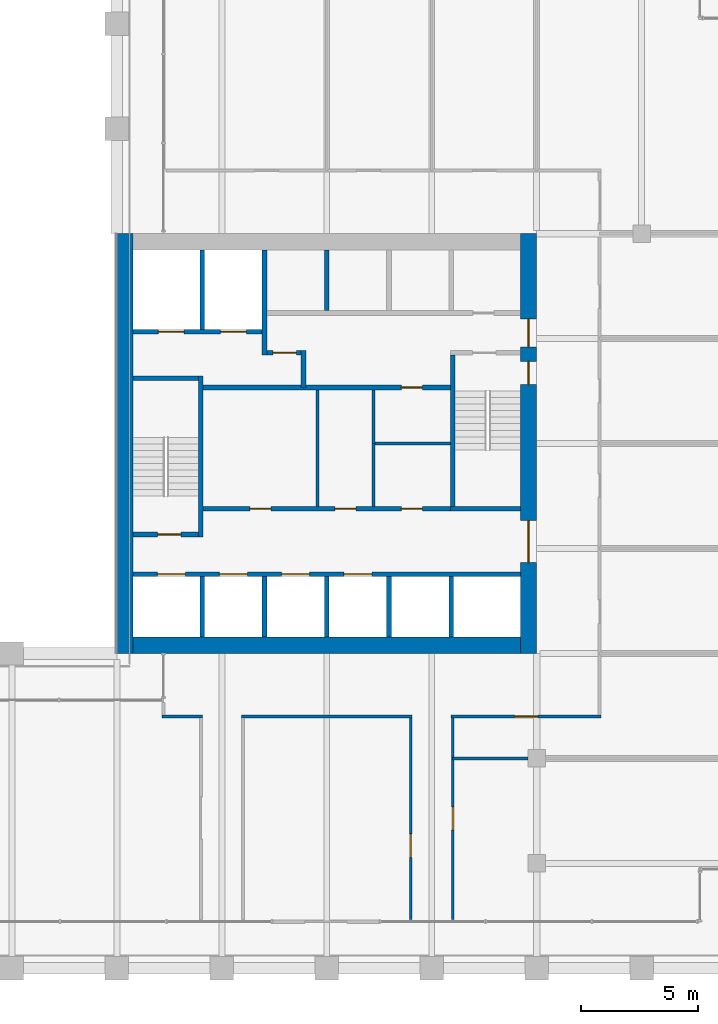
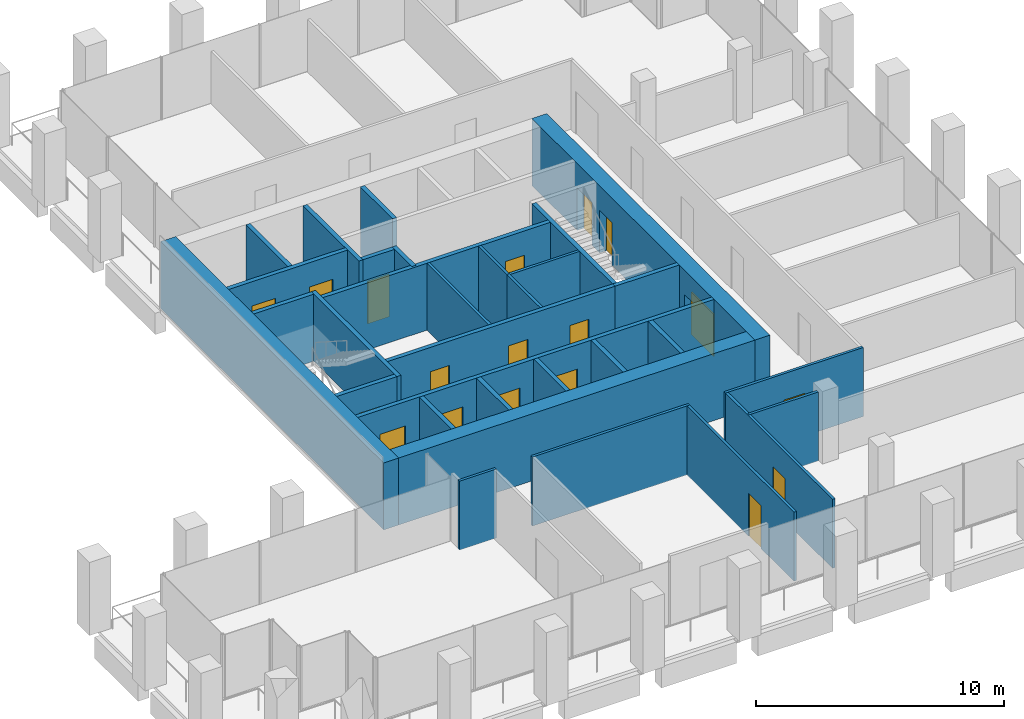
# One storey, part 41 of 46: 32 walls, 18 doors, 18 openings.
"""IFC4 building model written with IfcOpenShell, lengths in metres."""

from ifc_helpers import new_model, si_unit, direction, frame, frame_2d, origin, place, context, subcontext, project, spatial, rectangle, extrude, material, layer, layer_set, type_object, element, fill, save


model = new_model("IFC4")

# Units and contexts
model_context = context("Model", 3, precision=1e-05, world=origin(), true_north=direction((0.0, 1.0)))
body_context = subcontext(model_context, "Body", "Model", "MODEL_VIEW")
ifc_project = project(units=[si_unit("LENGTHUNIT", "METRE"), si_unit("AREAUNIT", "SQUARE_METRE"), si_unit("VOLUMEUNIT", "CUBIC_METRE"), si_unit("PLANEANGLEUNIT", "RADIAN"), si_unit("MASSUNIT", "GRAM", prefix="KILO")], contexts=[model_context])

# Site, building, storey
site_placement = place(None, origin())
site = spatial("IfcSite", under=ifc_project, at=site_placement, CompositionType="ELEMENT")
building_placement = place(site_placement, origin())
building = spatial("IfcBuilding", under=site, at=building_placement, Name="Altepetl Exchange Towers", CompositionType="ELEMENT")
storey_placement = place(building_placement, frame((0.0, 0.0, 135.199951171875)))
storey = spatial("IfcBuildingStorey", under=building, at=storey_placement, Name="L33", CompositionType="ELEMENT", Elevation=135.199951171875)

# Wall, openings, doors
ifc_material_1 = material(Name="Concrete C70/85", Category="concrete")
ifc_layer_1 = layer(ifc_material_1, 0.699951171875)
ifc_layer_set_1 = layer_set([ifc_layer_1], Name="Concrete C70/85")
wall_type_1 = type_object("IfcWallType", Name="Core wall 700 reinforced concrete", PredefinedType="SHEAR", material=ifc_layer_set_1)
wall_1_placement = place(storey_placement, frame((58.14990234375, 40.5, 0.0), z_axis=(0.0, 0.0, 1.0), x_axis=(0.0, 1.0, 0.0)))
wall_1 = element("IfcWall", 1, at=wall_1_placement, inside=storey, type_object=wall_type_1, Name="wall:A:L33:K-coreE", PredefinedType="SHEAR", context=body_context, shape_type="SweptSolid", body=[
    extrude(rectangle(XDim=18.0, YDim=0.699951171875, at=frame_2d((9.0, 0.0))), origin(), (0.0, 0.0, 1.0), 3.300048828125),
])
opening_1_placement = place(wall_1_placement, frame((13.14990234375, 0.0, 0.0)))
opening_1 = element("IfcOpeningElement", 2, at=opening_1_placement, cuts=wall_1, Name="Opening L33.A60", PredefinedType="OPENING", context=body_context, shape_type="SweptSolid", body=[
    extrude(rectangle(XDim=1.199951171875, YDim=2.10009765625, at=frame_2d((0.60009765625, 1.050048828125))), frame((0.0, 0.35986328125, 0.0), z_axis=(0.0, -1.0, 0.0), x_axis=(1.0, 0.0, 0.0)), (0.0, 0.0, 1.0), 0.719970703125),
])
opening_2_placement = place(wall_1_placement, frame((3.89990234375, 0.0, 0.0)))
opening_2 = element("IfcOpeningElement", 3, at=opening_2_placement, cuts=wall_1, Name="Opening L33.A61", PredefinedType="OPENING", context=body_context, shape_type="SweptSolid", body=[
    extrude(rectangle(XDim=1.800048828125, YDim=2.10009765625, at=frame_2d((0.89990234375, 1.050048828125))), frame((0.0, 0.35986328125, 0.0), z_axis=(0.0, -1.0, 0.0), x_axis=(1.0, 0.0, 0.0)), (0.0, 0.0, 1.0), 0.719970703125),
])
opening_3_placement = place(wall_1_placement, frame((11.52490234375, 0.0, 0.0)))
opening_3 = element("IfcOpeningElement", 4, at=opening_3_placement, cuts=wall_1, Name="Opening L33.A64", PredefinedType="OPENING", context=body_context, shape_type="SweptSolid", body=[
    extrude(rectangle(XDim=1.0, YDim=2.10009765625, at=frame_2d((0.5, 1.050048828125))), frame((0.0, 0.35986328125, 0.0), z_axis=(0.0, -1.0, 0.0), x_axis=(1.0, 0.0, 0.0)), (0.0, 0.0, 1.0), 0.719970703125),
])
ifc_material_2 = material(Name="Steel and timber fire door", Category="steel")
door_type_1 = type_object("IfcDoorType", Name="Fire door 1000 x 2100 stair and lobby", OperationType="SINGLE_SWING_LEFT", PredefinedType="DOOR", material=ifc_material_2)
door_1_placement = place(opening_3_placement, origin())
door_1 = element("IfcDoor", 5, at=door_1_placement, inside=storey, type_object=door_type_1, Name="door:A:L33:K-dS2x", OperationType="SINGLE_SWING_RIGHT", OverallHeight=2.10009765625, OverallWidth=1.0, PredefinedType="DOOR", context=body_context, shape_type="SweptSolid", body=[
    extrude(rectangle(XDim=1.0, YDim=2.10009765625, at=frame_2d((0.5, 1.050048828125))), frame((0.0, 0.02490234375, 0.0), z_axis=(0.0, -1.0, 0.0), x_axis=(1.0, 0.0, 0.0)), (0.0, 0.0, 1.0), 0.050048828125),
])
fill(opening_3, door_1)
door_type_2 = type_object("IfcDoorType", Name="Fire door 1200 x 2100 lobby entry", OperationType="SINGLE_SWING_LEFT", PredefinedType="DOOR", material=ifc_material_2)
door_2_placement = place(opening_1_placement, origin())
door_2 = element("IfcDoor", 6, at=door_2_placement, inside=storey, type_object=door_type_2, Name="door:A:L33:K-dLNE", OperationType="SINGLE_SWING_RIGHT", OverallHeight=2.10009765625, OverallWidth=1.199951171875, PredefinedType="DOOR", context=body_context, shape_type="SweptSolid", body=[
    extrude(rectangle(XDim=1.199951171875, YDim=2.10009765625, at=frame_2d((0.60009765625, 1.050048828125))), frame((0.0, 0.02490234375, 0.0), z_axis=(0.0, -1.0, 0.0), x_axis=(1.0, 0.0, 0.0)), (0.0, 0.0, 1.0), 0.050048828125),
])
fill(opening_1, door_2)
door_type_3 = type_object("IfcDoorType", Name="Fire door 1800 x 2100 lobby entry", OperationType="DOUBLE_DOOR_SINGLE_SWING", PredefinedType="DOOR", material=ifc_material_2)
door_3_placement = place(opening_2_placement, origin())
door_3 = element("IfcDoor", 7, at=door_3_placement, inside=storey, type_object=door_type_3, Name="door:A:L33:K-dLSE", OperationType="DOUBLE_DOOR_SINGLE_SWING", OverallHeight=2.10009765625, OverallWidth=1.800048828125, PredefinedType="DOOR", context=body_context, shape_type="SweptSolid", body=[
    extrude(rectangle(XDim=1.800048828125, YDim=2.10009765625, at=frame_2d((0.89990234375, 1.050048828125))), frame((0.0, 0.02490234375, 0.0), z_axis=(0.0, -1.0, 0.0), x_axis=(1.0, 0.0, 0.0)), (0.0, 0.0, 1.0), 0.050048828125),
])
fill(opening_2, door_3)

# Walls
wall_2_placement = place(storey_placement, frame((41.199951171875, 40.85009765625, 0.0)))
element("IfcWall", 8, at=wall_2_placement, inside=storey, type_object=wall_type_1, Name="wall:A:L33:K-coreS", PredefinedType="SHEAR", context=body_context, shape_type="SweptSolid", body=[
    extrude(rectangle(XDim=16.60009765625, YDim=0.699951171875, at=frame_2d((8.300048828125, 0.0))), origin(), (0.0, 0.0, 1.0), 3.300048828125),
])
ifc_layer_2 = layer(ifc_material_1, 0.699951171875)
ifc_layer_set_2 = layer_set([ifc_layer_2], Name="Concrete C70/85")
wall_type_2 = type_object("IfcWallType", Name="Core wall 700 reinforced concrete external", PredefinedType="SHEAR", material=ifc_layer_set_2)
wall_3_placement = place(storey_placement, frame((40.85009765625, 40.5, 0.0), z_axis=(0.0, 0.0, 1.0), x_axis=(0.0, 1.0, 0.0)))
element("IfcWall", 9, at=wall_3_placement, inside=storey, type_object=wall_type_2, Name="wall:A:L33:K-coreW", PredefinedType="SHEAR", context=body_context, shape_type="SweptSolid", body=[
    extrude(rectangle(XDim=18.0, YDim=0.699951171875, at=frame_2d((9.0, 0.0))), origin(), (0.0, 0.0, 1.0), 3.300048828125),
])
ifc_material_3 = material(Name="Concrete blockwork", Category="masonry")
ifc_layer_3 = layer(ifc_material_3, 0.199951171875)
ifc_layer_set_3 = layer_set([ifc_layer_3], Name="Concrete blockwork")
wall_type_3 = type_object("IfcWallType", Name="Lobby wall 200 blockwork", PredefinedType="PARTITIONING", material=ifc_layer_set_3)
wall_4_placement = place(storey_placement, frame((48.5, 51.89990234375, 0.0), z_axis=(0.0, 0.0, 1.0), x_axis=(0.0, 1.0, 0.0)))
element("IfcWall", 10, at=wall_4_placement, inside=storey, type_object=wall_type_3, Name="wall:A:L33:K-ffE", PredefinedType="PARTITIONING", context=body_context, shape_type="SweptSolid", body=[
    extrude(rectangle(XDim=1.60009765625, YDim=0.199951171875, at=frame_2d((0.800048828125, 0.0))), origin(), (0.0, 0.0, 1.0), 3.300048828125),
])

# Wall, opening, door
wall_5_placement = place(storey_placement, frame((46.933349609375, 53.39990234375, 0.0)))
wall_5 = element("IfcWall", 11, at=wall_5_placement, inside=storey, type_object=wall_type_3, Name="wall:A:L33:K-ffN", PredefinedType="PARTITIONING", context=body_context, shape_type="SweptSolid", body=[
    extrude(rectangle(XDim=1.466552734375, YDim=0.199951171875, at=frame_2d((0.7333984375, 0.0))), origin(), (0.0, 0.0, 1.0), 3.300048828125),
])
opening_4_placement = place(wall_5_placement, frame((0.2666015625, 0.0, 0.0)))
opening_4 = element("IfcOpeningElement", 12, at=opening_4_placement, cuts=wall_5, Name="Opening L33.A65", PredefinedType="OPENING", context=body_context, shape_type="SweptSolid", body=[
    extrude(rectangle(XDim=1.0, YDim=2.10009765625, at=frame_2d((0.5, 1.050048828125))), frame((0.0, 0.10986328125, 0.0), z_axis=(0.0, -1.0, 0.0), x_axis=(1.0, 0.0, 0.0)), (0.0, 0.0, 1.0), 0.219970703125),
])
door_4_placement = place(opening_4_placement, frame((1.0, 0.0, 0.0), x_axis=(-1.0, 0.0, 0.0)))
door_4 = element("IfcDoor", 13, at=door_4_placement, inside=storey, type_object=door_type_1, Name="door:A:L33:K-dffN", OperationType="SINGLE_SWING_RIGHT", OverallHeight=2.10009765625, OverallWidth=1.0, PredefinedType="DOOR", context=body_context, shape_type="SweptSolid", body=[
    extrude(rectangle(XDim=1.0, YDim=2.10009765625, at=frame_2d((0.5, 1.050048828125))), frame((0.0, 0.02490234375, 0.0), z_axis=(0.0, -1.0, 0.0), x_axis=(1.0, 0.0, 0.0)), (0.0, 0.0, 1.0), 0.050048828125),
])
fill(opening_4, door_4)

wall_6_placement = place(storey_placement, frame((44.199951171875, 51.89990234375, 0.0)))
wall_6 = element("IfcWall", 14, at=wall_6_placement, inside=storey, type_object=wall_type_3, Name="wall:A:L33:K-zoneN", PredefinedType="PARTITIONING", context=body_context, shape_type="SweptSolid", body=[
    extrude(rectangle(XDim=10.60009765625, YDim=0.199951171875, at=frame_2d((5.300048828125, 0.0))), origin(), (0.0, 0.0, 1.0), 3.300048828125),
])
opening_5_placement = place(wall_6_placement, frame((8.5, 0.0, 0.0)))
opening_5 = element("IfcOpeningElement", 15, at=opening_5_placement, cuts=wall_6, Name="Opening L33.A69", PredefinedType="OPENING", context=body_context, shape_type="SweptSolid", body=[
    extrude(rectangle(XDim=0.89990234375, YDim=2.10009765625, at=frame_2d((0.449951171875, 1.050048828125))), frame((0.0, 0.10986328125, 0.0), z_axis=(0.0, -1.0, 0.0), x_axis=(1.0, 0.0, 0.0)), (0.0, 0.0, 1.0), 0.219970703125),
])
door_type_4 = type_object("IfcDoorType", Name="Fire door 900 x 2100 service room", OperationType="SINGLE_SWING_LEFT", PredefinedType="DOOR", material=ifc_material_2)
door_5_placement = place(opening_5_placement, frame((0.89990234375, 0.0, 0.0), x_axis=(-1.0, 0.0, 0.0)))
door_5 = element("IfcDoor", 16, at=door_5_placement, inside=storey, type_object=door_type_4, Name="door:A:L33:K-dz3", OperationType="SINGLE_SWING_LEFT", OverallHeight=2.10009765625, OverallWidth=0.89990234375, PredefinedType="DOOR", context=body_context, shape_type="SweptSolid", body=[
    extrude(rectangle(XDim=0.89990234375, YDim=2.10009765625, at=frame_2d((0.449951171875, 1.050048828125))), frame((0.0, 0.02490234375, 0.0), z_axis=(0.0, -1.0, 0.0), x_axis=(1.0, 0.0, 0.0)), (0.0, 0.0, 1.0), 0.050048828125),
])
fill(opening_5, door_5)

# Wall, openings, doors
wall_7_placement = place(storey_placement, frame((44.199951171875, 46.699951171875, 0.0)))
wall_7 = element("IfcWall", 17, at=wall_7_placement, inside=storey, type_object=wall_type_3, Name="wall:A:L33:K-zoneS", PredefinedType="PARTITIONING", context=body_context, shape_type="SweptSolid", body=[
    extrude(rectangle(XDim=10.60009765625, YDim=0.199951171875, at=frame_2d((5.300048828125, 0.0))), origin(), (0.0, 0.0, 1.0), 3.300048828125),
])
opening_6_placement = place(wall_7_placement, frame((2.0, 0.0, 0.0)))
opening_6 = element("IfcOpeningElement", 18, at=opening_6_placement, cuts=wall_7, Name="Opening L33.A67", PredefinedType="OPENING", context=body_context, shape_type="SweptSolid", body=[
    extrude(rectangle(XDim=0.89990234375, YDim=2.10009765625, at=frame_2d((0.449951171875, 1.050048828125))), frame((0.0, 0.10986328125, 0.0), z_axis=(0.0, -1.0, 0.0), x_axis=(1.0, 0.0, 0.0)), (0.0, 0.0, 1.0), 0.219970703125),
])
opening_7_placement = place(wall_7_placement, frame((5.64990234375, 0.0, 0.0)))
opening_7 = element("IfcOpeningElement", 19, at=opening_7_placement, cuts=wall_7, Name="Opening L33.A68", PredefinedType="OPENING", context=body_context, shape_type="SweptSolid", body=[
    extrude(rectangle(XDim=0.89990234375, YDim=2.10009765625, at=frame_2d((0.449951171875, 1.050048828125))), frame((0.0, 0.10986328125, 0.0), z_axis=(0.0, -1.0, 0.0), x_axis=(1.0, 0.0, 0.0)), (0.0, 0.0, 1.0), 0.219970703125),
])
opening_8_placement = place(wall_7_placement, frame((8.5, 0.0, 0.0)))
opening_8 = element("IfcOpeningElement", 20, at=opening_8_placement, cuts=wall_7, Name="Opening L33.A70", PredefinedType="OPENING", context=body_context, shape_type="SweptSolid", body=[
    extrude(rectangle(XDim=0.89990234375, YDim=2.10009765625, at=frame_2d((0.449951171875, 1.050048828125))), frame((0.0, 0.10986328125, 0.0), z_axis=(0.0, -1.0, 0.0), x_axis=(1.0, 0.0, 0.0)), (0.0, 0.0, 1.0), 0.219970703125),
])
door_6_placement = place(opening_6_placement, origin())
door_6 = element("IfcDoor", 21, at=door_6_placement, inside=storey, type_object=door_type_4, Name="door:A:L33:K-dz1", OperationType="SINGLE_SWING_LEFT", OverallHeight=2.10009765625, OverallWidth=0.89990234375, PredefinedType="DOOR", context=body_context, shape_type="SweptSolid", body=[
    extrude(rectangle(XDim=0.89990234375, YDim=2.10009765625, at=frame_2d((0.449951171875, 1.050048828125))), frame((0.0, 0.02490234375, 0.0), z_axis=(0.0, -1.0, 0.0), x_axis=(1.0, 0.0, 0.0)), (0.0, 0.0, 1.0), 0.050048828125),
])
fill(opening_6, door_6)
door_7_placement = place(opening_7_placement, origin())
door_7 = element("IfcDoor", 22, at=door_7_placement, inside=storey, type_object=door_type_4, Name="door:A:L33:K-dz2", OperationType="SINGLE_SWING_RIGHT", OverallHeight=2.10009765625, OverallWidth=0.89990234375, PredefinedType="DOOR", context=body_context, shape_type="SweptSolid", body=[
    extrude(rectangle(XDim=0.89990234375, YDim=2.10009765625, at=frame_2d((0.449951171875, 1.050048828125))), frame((0.0, 0.02490234375, 0.0), z_axis=(0.0, -1.0, 0.0), x_axis=(1.0, 0.0, 0.0)), (0.0, 0.0, 1.0), 0.050048828125),
])
fill(opening_7, door_7)
door_8_placement = place(opening_8_placement, origin())
door_8 = element("IfcDoor", 23, at=door_8_placement, inside=storey, type_object=door_type_4, Name="door:A:L33:K-dz4", OperationType="SINGLE_SWING_RIGHT", OverallHeight=2.10009765625, OverallWidth=0.89990234375, PredefinedType="DOOR", context=body_context, shape_type="SweptSolid", body=[
    extrude(rectangle(XDim=0.89990234375, YDim=2.10009765625, at=frame_2d((0.449951171875, 1.050048828125))), frame((0.0, 0.02490234375, 0.0), z_axis=(0.0, -1.0, 0.0), x_axis=(1.0, 0.0, 0.0)), (0.0, 0.0, 1.0), 0.050048828125),
])
fill(opening_8, door_8)

# Walls
ifc_material_4 = material(Name="Gypsum board on steel studs", Category="steel")
ifc_layer_4 = layer(ifc_material_4, 0.125)
ifc_layer_set_4 = layer_set([ifc_layer_4], Name="Gypsum board on steel studs")
wall_type_4 = type_object("IfcWallType", Name="Partition 125 gypsum board on steel studs", PredefinedType="PARTITIONING", material=ifc_layer_set_4)
wall_8_placement = place(storey_placement, frame((49.10009765625, 46.800048828125, 0.0), z_axis=(0.0, 0.0, 1.0), x_axis=(0.0, 1.0, 0.0)))
element("IfcWall", 24, at=wall_8_placement, inside=storey, type_object=wall_type_4, Name="wall:A:L33:K-zp1", PredefinedType="PARTITIONING", context=body_context, shape_type="SweptSolid", body=[
    extrude(rectangle(XDim=5.0, YDim=0.125, at=frame_2d((2.5, 0.0))), origin(), (0.0, 0.0, 1.0), 3.300048828125),
])
wall_9_placement = place(storey_placement, frame((51.5, 46.800048828125, 0.0), z_axis=(0.0, 0.0, 1.0), x_axis=(0.0, 1.0, 0.0)))
element("IfcWall", 25, at=wall_9_placement, inside=storey, type_object=wall_type_4, Name="wall:A:L33:K-zp2", PredefinedType="PARTITIONING", context=body_context, shape_type="SweptSolid", body=[
    extrude(rectangle(XDim=2.762451171875, YDim=0.125, at=frame_2d((1.38134765625, 0.0))), origin(), (0.0, 0.0, 1.0), 3.300048828125),
])
wall_10_placement = place(storey_placement, frame((51.5625, 49.5, 0.0)))
element("IfcWall", 26, at=wall_10_placement, inside=storey, type_object=wall_type_4, Name="wall:A:L33:K-zp3", PredefinedType="PARTITIONING", context=body_context, shape_type="SweptSolid", body=[
    extrude(rectangle(XDim=3.237548828125, YDim=0.125, at=frame_2d((1.61865234375, 0.0))), origin(), (0.0, 0.0, 1.0), 3.300048828125),
])
wall_11_placement = place(storey_placement, frame((51.5, 49.5, 0.0), z_axis=(0.0, 0.0, 1.0), x_axis=(0.0, 1.0, 0.0)))
element("IfcWall", 27, at=wall_11_placement, inside=storey, type_object=wall_type_4, Name="wall:A:L33:K-zp4", PredefinedType="PARTITIONING", context=body_context, shape_type="SweptSolid", body=[
    extrude(rectangle(XDim=2.300048828125, YDim=0.125, at=frame_2d((1.14990234375, 0.0))), origin(), (0.0, 0.0, 1.0), 3.300048828125),
])
wall_12_placement = place(storey_placement, frame((54.89990234375, 36.0, 0.0)))
element("IfcWall", 28, at=wall_12_placement, inside=storey, type_object=wall_type_4, Name="wall:A:L33:P01", PredefinedType="PARTITIONING", context=body_context, shape_type="SweptSolid", body=[
    extrude(rectangle(XDim=3.22509765625, YDim=0.125, at=frame_2d((1.612548828125, 0.0))), origin(), (0.0, 0.0, 1.0), 3.400146484375),
])
wall_13_placement = place(storey_placement, frame((42.4375, 37.800048828125, 0.0)))
element("IfcWall", 29, at=wall_13_placement, inside=storey, type_object=wall_type_4, Name="wall:A:L33:P03", PredefinedType="PARTITIONING", context=body_context, shape_type="SweptSolid", body=[
    extrude(rectangle(XDim=1.72509765625, YDim=0.125, at=frame_2d((0.862548828125, 0.0))), origin(), (0.0, 0.0, 1.0), 3.400146484375),
])
wall_14_placement = place(storey_placement, frame((45.83740234375, 37.800048828125, 0.0)))
element("IfcWall", 30, at=wall_14_placement, inside=storey, type_object=wall_type_4, Name="wall:A:L33:P04", PredefinedType="PARTITIONING", context=body_context, shape_type="SweptSolid", body=[
    extrude(rectangle(XDim=7.3251953125, YDim=0.125, at=frame_2d((3.66259765625, 0.0))), origin(), (0.0, 0.0, 1.0), 3.400146484375),
])

# Wall, opening, door
wall_15_placement = place(storey_placement, frame((54.83740234375, 37.800048828125, 0.0)))
wall_15 = element("IfcWall", 31, at=wall_15_placement, inside=storey, type_object=wall_type_4, Name="wall:A:L33:P05", PredefinedType="PARTITIONING", context=body_context, shape_type="SweptSolid", body=[
    extrude(rectangle(XDim=6.425048828125, YDim=0.125, at=frame_2d((3.21240234375, 0.0))), origin(), (0.0, 0.0, 1.0), 3.400146484375),
])
opening_9_placement = place(wall_15_placement, frame((2.71240234375, 0.0, 0.0)))
opening_9 = element("IfcOpeningElement", 32, at=opening_9_placement, cuts=wall_15, Name="Opening L33.A04", PredefinedType="OPENING", context=body_context, shape_type="SweptSolid", body=[
    extrude(rectangle(XDim=1.0, YDim=2.10009765625, at=frame_2d((0.5, 1.050048828125))), frame((0.0, 0.072509765625, 0.0), z_axis=(0.0, -1.0, 0.0), x_axis=(1.0, 0.0, 0.0)), (0.0, 0.0, 1.0), 0.14501953125),
])
door_type_5 = type_object("IfcDoorType", Name="Fire door 1000 x 2100 single leaf", OperationType="SINGLE_SWING_LEFT", PredefinedType="DOOR", material=ifc_material_2)
door_9_placement = place(opening_9_placement, origin())
door_9 = element("IfcDoor", 33, at=door_9_placement, inside=storey, type_object=door_type_5, Name="door:A:L33:04", OperationType="SINGLE_SWING_LEFT", OverallHeight=2.10009765625, OverallWidth=1.0, PredefinedType="DOOR", context=body_context, shape_type="SweptSolid", body=[
    extrude(rectangle(XDim=1.0, YDim=2.10009765625, at=frame_2d((0.5, 1.050048828125))), frame((0.0, 0.02490234375, 0.0), z_axis=(0.0, -1.0, 0.0), x_axis=(1.0, 0.0, 0.0)), (0.0, 0.0, 1.0), 0.050048828125),
])
fill(opening_9, door_9)

wall_16_placement = place(storey_placement, frame((53.10009765625, 29.10009765625, 0.0), z_axis=(0.0, 0.0, 1.0), x_axis=(0.0, 1.0, 0.0)))
wall_16 = element("IfcWall", 34, at=wall_16_placement, inside=storey, type_object=wall_type_4, Name="wall:A:L33:P18", PredefinedType="PARTITIONING", context=body_context, shape_type="SweptSolid", body=[
    extrude(rectangle(XDim=8.637451171875, YDim=0.125, at=frame_2d((4.31884765625, 0.0))), origin(), (0.0, 0.0, 1.0), 3.400146484375),
])
opening_10_placement = place(wall_16_placement, frame((2.659912109375, 0.0, 0.0)))
opening_10 = element("IfcOpeningElement", 35, at=opening_10_placement, cuts=wall_16, Name="Opening L33.A02", PredefinedType="OPENING", context=body_context, shape_type="SweptSolid", body=[
    extrude(rectangle(XDim=1.0, YDim=2.10009765625, at=frame_2d((0.5, 1.050048828125))), frame((0.0, 0.072509765625, 0.0), z_axis=(0.0, -1.0, 0.0), x_axis=(1.0, 0.0, 0.0)), (0.0, 0.0, 1.0), 0.14501953125),
])
door_10_placement = place(opening_10_placement, origin())
door_10 = element("IfcDoor", 36, at=door_10_placement, inside=storey, type_object=door_type_5, Name="door:A:L33:02", OperationType="SINGLE_SWING_RIGHT", OverallHeight=2.10009765625, OverallWidth=1.0, PredefinedType="DOOR", context=body_context, shape_type="SweptSolid", body=[
    extrude(rectangle(XDim=1.0, YDim=2.10009765625, at=frame_2d((0.5, 1.050048828125))), frame((0.0, 0.02490234375, 0.0), z_axis=(0.0, -1.0, 0.0), x_axis=(1.0, 0.0, 0.0)), (0.0, 0.0, 1.0), 0.050048828125),
])
fill(opening_10, door_10)

wall_17_placement = place(storey_placement, frame((54.89990234375, 29.10009765625, 0.0), z_axis=(0.0, 0.0, 1.0), x_axis=(0.0, 1.0, 0.0)))
wall_17 = element("IfcWall", 37, at=wall_17_placement, inside=storey, type_object=wall_type_4, Name="wall:A:L33:P20", PredefinedType="PARTITIONING", context=body_context, shape_type="SweptSolid", body=[
    extrude(rectangle(XDim=8.637451171875, YDim=0.125, at=frame_2d((4.31884765625, 0.0))), origin(), (0.0, 0.0, 1.0), 3.400146484375),
])
opening_11_placement = place(wall_17_placement, frame((3.824951171875, 0.0, 0.0)))
opening_11 = element("IfcOpeningElement", 38, at=opening_11_placement, cuts=wall_17, Name="Opening L33.A03", PredefinedType="OPENING", context=body_context, shape_type="SweptSolid", body=[
    extrude(rectangle(XDim=1.0, YDim=2.10009765625, at=frame_2d((0.5, 1.050048828125))), frame((0.0, 0.072509765625, 0.0), z_axis=(0.0, -1.0, 0.0), x_axis=(1.0, 0.0, 0.0)), (0.0, 0.0, 1.0), 0.14501953125),
])
door_11_placement = place(opening_11_placement, frame((1.0, 0.0, 0.0), x_axis=(-1.0, 0.0, 0.0)))
door_11 = element("IfcDoor", 39, at=door_11_placement, inside=storey, type_object=door_type_5, Name="door:A:L33:03", OperationType="SINGLE_SWING_LEFT", OverallHeight=2.10009765625, OverallWidth=1.0, PredefinedType="DOOR", context=body_context, shape_type="SweptSolid", body=[
    extrude(rectangle(XDim=1.0, YDim=2.10009765625, at=frame_2d((0.5, 1.050048828125))), frame((0.0, 0.02490234375, 0.0), z_axis=(0.0, -1.0, 0.0), x_axis=(1.0, 0.0, 0.0)), (0.0, 0.0, 1.0), 0.050048828125),
])
fill(opening_11, door_11)

# Walls
ifc_material_5 = material(Name="Concrete C40/50", Category="concrete")
ifc_layer_5 = layer(ifc_material_5, 0.199951171875)
ifc_layer_set_5 = layer_set([ifc_layer_5], Name="Concrete C40/50")
wall_type_5 = type_object("IfcWallType", Name="Shaft wall 200 reinforced concrete", PredefinedType="SHEAR", material=ifc_layer_set_5)
wall_18_placement = place(storey_placement, frame((44.166748046875, 57.800048828125, 0.0), z_axis=(0.0, 0.0, 1.0), x_axis=(0.0, -1.0, 0.0)))
element("IfcWall", 40, at=wall_18_placement, inside=storey, type_object=wall_type_5, Name="wall:A:L33:K-divN1", PredefinedType="SHEAR", context=body_context, shape_type="SweptSolid", body=[
    extrude(rectangle(XDim=3.400146484375, YDim=0.199951171875, at=frame_2d((1.7001953125, 0.0))), origin(), (0.0, 0.0, 1.0), 3.300048828125),
])
wall_19_placement = place(storey_placement, frame((46.833251953125, 57.800048828125, 0.0), z_axis=(0.0, 0.0, 1.0), x_axis=(0.0, -1.0, 0.0)))
element("IfcWall", 41, at=wall_19_placement, inside=storey, type_object=wall_type_5, Name="wall:A:L33:K-divN2", PredefinedType="SHEAR", context=body_context, shape_type="SweptSolid", body=[
    extrude(rectangle(XDim=4.5, YDim=0.199951171875, at=frame_2d((2.25, 0.0))), origin(), (0.0, 0.0, 1.0), 3.300048828125),
])
for number, where, z_axis, x_axis, name in (
    (42, (49.5, 57.800048828125, 0.0), (0.0, 0.0, 1.0), (0.0, -1.0, 0.0), "wall:A:L33:K-divN3"),
    (43, (44.166748046875, 41.199951171875, 0.0), (0.0, 0.0, 1.0), (0.0, 1.0, 0.0), "wall:A:L33:K-divS1"),
    (44, (46.833251953125, 41.199951171875, 0.0), (0.0, 0.0, 1.0), (0.0, 1.0, 0.0), "wall:A:L33:K-divS2"),
    (45, (49.5, 41.199951171875, 0.0), (0.0, 0.0, 1.0), (0.0, 1.0, 0.0), "wall:A:L33:K-divS3"),
    (46, (52.166748046875, 41.199951171875, 0.0), (0.0, 0.0, 1.0), (0.0, 1.0, 0.0), "wall:A:L33:K-divS4"),
    (47, (54.833251953125, 41.199951171875, 0.0), (0.0, 0.0, 1.0), (0.0, 1.0, 0.0), "wall:A:L33:K-divS5"),
):
    element("IfcWall", number, at=place(storey_placement, frame(where, z_axis=z_axis, x_axis=x_axis)), inside=storey, type_object=wall_type_5, Name=name, PredefinedType="SHEAR", context=body_context, shape_type="SweptSolid", body=[
        extrude(rectangle(XDim=2.60009765625, YDim=0.199951171875, at=frame_2d((1.300048828125, 0.0))), origin(), (0.0, 0.0, 1.0), 3.300048828125),
    ])

# Wall, openings, doors
wall_20_placement = place(storey_placement, frame((41.199951171875, 54.300048828125, 0.0)))
wall_20 = element("IfcWall", 48, at=wall_20_placement, inside=storey, type_object=wall_type_5, Name="wall:A:L33:K-frontNd", PredefinedType="SHEAR", context=body_context, shape_type="SweptSolid", body=[
    extrude(rectangle(XDim=5.533447265625, YDim=0.199951171875, at=frame_2d((2.7666015625, 0.0))), origin(), (0.0, 0.0, 1.0), 3.300048828125),
])
opening_12_placement = place(wall_20_placement, frame((1.083251953125, 0.0, 0.0)))
opening_12 = element("IfcOpeningElement", 49, at=opening_12_placement, cuts=wall_20, Name="Opening L33.A71", PredefinedType="OPENING", context=body_context, shape_type="SweptSolid", body=[
    extrude(rectangle(XDim=1.10009765625, YDim=2.10009765625, at=frame_2d((0.550048828125, 1.050048828125))), frame((0.0, 0.10986328125, 0.0), z_axis=(0.0, -1.0, 0.0), x_axis=(1.0, 0.0, 0.0)), (0.0, 0.0, 1.0), 0.219970703125),
])
opening_13_placement = place(wall_20_placement, frame((3.75, 0.0, 0.0)))
opening_13 = element("IfcOpeningElement", 50, at=opening_13_placement, cuts=wall_20, Name="Opening L33.A72", PredefinedType="OPENING", context=body_context, shape_type="SweptSolid", body=[
    extrude(rectangle(XDim=1.10009765625, YDim=2.10009765625, at=frame_2d((0.550048828125, 1.050048828125))), frame((0.0, 0.10986328125, 0.0), z_axis=(0.0, -1.0, 0.0), x_axis=(1.0, 0.0, 0.0)), (0.0, 0.0, 1.0), 0.219970703125),
])
ifc_material_6 = material(Name="Stainless steel", Category="steel")
door_type_6 = type_object("IfcDoorType", Name="Lift landing door 1100 x 2100", OperationType="SLIDING_TO_LEFT", PredefinedType="DOOR", material=ifc_material_6)
door_12_placement = place(opening_12_placement, origin())
door_12 = element("IfcDoor", 51, at=door_12_placement, inside=storey, type_object=door_type_6, Name="Landing door FFL1", OperationType="SLIDING_TO_LEFT", OverallHeight=2.10009765625, OverallWidth=1.10009765625, PredefinedType="DOOR", context=body_context, shape_type="SweptSolid", body=[
    extrude(rectangle(XDim=1.10009765625, YDim=2.10009765625, at=frame_2d((0.550048828125, 1.050048828125))), frame((0.0, 0.02490234375, 0.0), z_axis=(0.0, -1.0, 0.0), x_axis=(1.0, 0.0, 0.0)), (0.0, 0.0, 1.0), 0.050048828125),
])
fill(opening_12, door_12)
door_13_placement = place(opening_13_placement, origin())
door_13 = element("IfcDoor", 52, at=door_13_placement, inside=storey, type_object=door_type_6, Name="Landing door FFL2", OperationType="SLIDING_TO_LEFT", OverallHeight=2.10009765625, OverallWidth=1.10009765625, PredefinedType="DOOR", context=body_context, shape_type="SweptSolid", body=[
    extrude(rectangle(XDim=1.10009765625, YDim=2.10009765625, at=frame_2d((0.550048828125, 1.050048828125))), frame((0.0, 0.02490234375, 0.0), z_axis=(0.0, -1.0, 0.0), x_axis=(1.0, 0.0, 0.0)), (0.0, 0.0, 1.0), 0.050048828125),
])
fill(opening_13, door_13)

wall_21_placement = place(storey_placement, frame((41.199951171875, 43.89990234375, 0.0)))
wall_21 = element("IfcWall", 53, at=wall_21_placement, inside=storey, type_object=wall_type_5, Name="wall:A:L33:K-frontS", PredefinedType="SHEAR", context=body_context, shape_type="SweptSolid", body=[
    extrude(rectangle(XDim=16.60009765625, YDim=0.199951171875, at=frame_2d((8.300048828125, 0.0))), origin(), (0.0, 0.0, 1.0), 3.300048828125),
])
opening_14_placement = place(wall_21_placement, frame((1.033203125, 0.0, 0.0)))
opening_14 = element("IfcOpeningElement", 54, at=opening_14_placement, cuts=wall_21, Name="Opening L33.A73", PredefinedType="OPENING", context=body_context, shape_type="SweptSolid", body=[
    extrude(rectangle(XDim=1.199951171875, YDim=2.10009765625, at=frame_2d((0.60009765625, 1.050048828125))), frame((0.0, 0.10986328125, 0.0), z_axis=(0.0, -1.0, 0.0), x_axis=(1.0, 0.0, 0.0)), (0.0, 0.0, 1.0), 0.219970703125),
])
opening_15_placement = place(wall_21_placement, frame((3.699951171875, 0.0, 0.0)))
opening_15 = element("IfcOpeningElement", 55, at=opening_15_placement, cuts=wall_21, Name="Opening L33.A74", PredefinedType="OPENING", context=body_context, shape_type="SweptSolid", body=[
    extrude(rectangle(XDim=1.199951171875, YDim=2.10009765625, at=frame_2d((0.60009765625, 1.050048828125))), frame((0.0, 0.10986328125, 0.0), z_axis=(0.0, -1.0, 0.0), x_axis=(1.0, 0.0, 0.0)), (0.0, 0.0, 1.0), 0.219970703125),
])
opening_16_placement = place(wall_21_placement, frame((6.36669921875, 0.0, 0.0)))
opening_16 = element("IfcOpeningElement", 56, at=opening_16_placement, cuts=wall_21, Name="Opening L33.A75", PredefinedType="OPENING", context=body_context, shape_type="SweptSolid", body=[
    extrude(rectangle(XDim=1.199951171875, YDim=2.10009765625, at=frame_2d((0.60009765625, 1.050048828125))), frame((0.0, 0.10986328125, 0.0), z_axis=(0.0, -1.0, 0.0), x_axis=(1.0, 0.0, 0.0)), (0.0, 0.0, 1.0), 0.219970703125),
])
opening_17_placement = place(wall_21_placement, frame((9.033203125, 0.0, 0.0)))
opening_17 = element("IfcOpeningElement", 57, at=opening_17_placement, cuts=wall_21, Name="Opening L33.A76", PredefinedType="OPENING", context=body_context, shape_type="SweptSolid", body=[
    extrude(rectangle(XDim=1.199951171875, YDim=2.10009765625, at=frame_2d((0.60009765625, 1.050048828125))), frame((0.0, 0.10986328125, 0.0), z_axis=(0.0, -1.0, 0.0), x_axis=(1.0, 0.0, 0.0)), (0.0, 0.0, 1.0), 0.219970703125),
])
door_type_7 = type_object("IfcDoorType", Name="Lift landing door 1200 x 2100", OperationType="SLIDING_TO_LEFT", PredefinedType="DOOR", material=ifc_material_6)
door_14_placement = place(opening_14_placement, origin())
door_14 = element("IfcDoor", 58, at=door_14_placement, inside=storey, type_object=door_type_7, Name="Landing door P1", OperationType="SLIDING_TO_LEFT", OverallHeight=2.10009765625, OverallWidth=1.199951171875, PredefinedType="DOOR", context=body_context, shape_type="SweptSolid", body=[
    extrude(rectangle(XDim=1.199951171875, YDim=2.10009765625, at=frame_2d((0.60009765625, 1.050048828125))), frame((0.0, 0.02490234375, 0.0), z_axis=(0.0, -1.0, 0.0), x_axis=(1.0, 0.0, 0.0)), (0.0, 0.0, 1.0), 0.050048828125),
])
fill(opening_14, door_14)
door_15_placement = place(opening_15_placement, origin())
door_15 = element("IfcDoor", 59, at=door_15_placement, inside=storey, type_object=door_type_7, Name="Landing door P2", OperationType="SLIDING_TO_LEFT", OverallHeight=2.10009765625, OverallWidth=1.199951171875, PredefinedType="DOOR", context=body_context, shape_type="SweptSolid", body=[
    extrude(rectangle(XDim=1.199951171875, YDim=2.10009765625, at=frame_2d((0.60009765625, 1.050048828125))), frame((0.0, 0.02490234375, 0.0), z_axis=(0.0, -1.0, 0.0), x_axis=(1.0, 0.0, 0.0)), (0.0, 0.0, 1.0), 0.050048828125),
])
fill(opening_15, door_15)
door_16_placement = place(opening_16_placement, origin())
door_16 = element("IfcDoor", 60, at=door_16_placement, inside=storey, type_object=door_type_7, Name="Landing door P3", OperationType="SLIDING_TO_LEFT", OverallHeight=2.10009765625, OverallWidth=1.199951171875, PredefinedType="DOOR", context=body_context, shape_type="SweptSolid", body=[
    extrude(rectangle(XDim=1.199951171875, YDim=2.10009765625, at=frame_2d((0.60009765625, 1.050048828125))), frame((0.0, 0.02490234375, 0.0), z_axis=(0.0, -1.0, 0.0), x_axis=(1.0, 0.0, 0.0)), (0.0, 0.0, 1.0), 0.050048828125),
])
fill(opening_16, door_16)
door_17_placement = place(opening_17_placement, origin())
door_17 = element("IfcDoor", 61, at=door_17_placement, inside=storey, type_object=door_type_7, Name="Landing door P4", OperationType="SLIDING_TO_LEFT", OverallHeight=2.10009765625, OverallWidth=1.199951171875, PredefinedType="DOOR", context=body_context, shape_type="SweptSolid", body=[
    extrude(rectangle(XDim=1.199951171875, YDim=2.10009765625, at=frame_2d((0.60009765625, 1.050048828125))), frame((0.0, 0.02490234375, 0.0), z_axis=(0.0, -1.0, 0.0), x_axis=(1.0, 0.0, 0.0)), (0.0, 0.0, 1.0), 0.050048828125),
])
fill(opening_17, door_17)

# Walls
ifc_layer_6 = layer(ifc_material_5, 0.199951171875)
ifc_layer_set_6 = layer_set([ifc_layer_6], Name="Concrete C40/50")
wall_type_6 = type_object("IfcWallType", Name="Stair wall 200 reinforced concrete", PredefinedType="SHEAR", material=ifc_layer_set_6)
wall_22_placement = place(storey_placement, frame((44.10009765625, 45.5, 0.0), z_axis=(0.0, 0.0, 1.0), x_axis=(0.0, 1.0, 0.0)))
element("IfcWall", 62, at=wall_22_placement, inside=storey, type_object=wall_type_6, Name="wall:A:L33:K-stS1E", PredefinedType="SHEAR", context=body_context, shape_type="SweptSolid", body=[
    extrude(rectangle(XDim=6.89990234375, YDim=0.199951171875, at=frame_2d((3.449951171875, 0.0))), origin(), (0.0, 0.0, 1.0), 3.300048828125),
])
wall_23_placement = place(storey_placement, frame((41.199951171875, 52.300048828125, 0.0)))
element("IfcWall", 63, at=wall_23_placement, inside=storey, type_object=wall_type_6, Name="wall:A:L33:K-stS1N", PredefinedType="SHEAR", context=body_context, shape_type="SweptSolid", body=[
    extrude(rectangle(XDim=2.800048828125, YDim=0.199951171875, at=frame_2d((1.39990234375, 0.0))), origin(), (0.0, 0.0, 1.0), 3.300048828125),
])

# Wall, opening, door
wall_24_placement = place(storey_placement, frame((41.199951171875, 45.60009765625, 0.0)))
wall_24 = element("IfcWall", 64, at=wall_24_placement, inside=storey, type_object=wall_type_6, Name="wall:A:L33:K-stS1S", PredefinedType="SHEAR", context=body_context, shape_type="SweptSolid", body=[
    extrude(rectangle(XDim=2.800048828125, YDim=0.199951171875, at=frame_2d((1.39990234375, 0.0))), origin(), (0.0, 0.0, 1.0), 3.300048828125),
])
opening_18_placement = place(wall_24_placement, frame((1.050048828125, 0.0, 0.0)))
opening_18 = element("IfcOpeningElement", 65, at=opening_18_placement, cuts=wall_24, Name="Opening L33.A62", PredefinedType="OPENING", context=body_context, shape_type="SweptSolid", body=[
    extrude(rectangle(XDim=1.0, YDim=2.10009765625, at=frame_2d((0.5, 1.050048828125))), frame((0.0, 0.10986328125, 0.0), z_axis=(0.0, -1.0, 0.0), x_axis=(1.0, 0.0, 0.0)), (0.0, 0.0, 1.0), 0.219970703125),
])
door_18_placement = place(opening_18_placement, origin())
door_18 = element("IfcDoor", 66, at=door_18_placement, inside=storey, type_object=door_type_1, Name="door:A:L33:K-dS1in", OperationType="SINGLE_SWING_RIGHT", OverallHeight=2.10009765625, OverallWidth=1.0, PredefinedType="DOOR", context=body_context, shape_type="SweptSolid", body=[
    extrude(rectangle(XDim=1.0, YDim=2.10009765625, at=frame_2d((0.5, 1.050048828125))), frame((0.0, 0.02490234375, 0.0), z_axis=(0.0, -1.0, 0.0), x_axis=(1.0, 0.0, 0.0)), (0.0, 0.0, 1.0), 0.050048828125),
])
fill(opening_18, door_18)

# Walls
wall_25_placement = place(storey_placement, frame((54.800048828125, 46.699951171875, 0.0)))
element("IfcWall", 67, at=wall_25_placement, inside=storey, type_object=wall_type_6, Name="wall:A:L33:K-stS2S", PredefinedType="SHEAR", context=body_context, shape_type="SweptSolid", body=[
    extrude(rectangle(XDim=3.0, YDim=0.199951171875, at=frame_2d((1.5, 0.0))), origin(), (0.0, 0.0, 1.0), 3.300048828125),
])
wall_26_placement = place(storey_placement, frame((54.89990234375, 46.800048828125, 0.0), z_axis=(0.0, 0.0, 1.0), x_axis=(0.0, 1.0, 0.0)))
element("IfcWall", 68, at=wall_26_placement, inside=storey, type_object=wall_type_6, Name="wall:A:L33:K-stS2W", PredefinedType="SHEAR", context=body_context, shape_type="SweptSolid", body=[
    extrude(rectangle(XDim=6.5, YDim=0.199951171875, at=frame_2d((3.25, 0.0))), origin(), (0.0, 0.0, 1.0), 3.300048828125),
])

save(model, "model.ifc")
